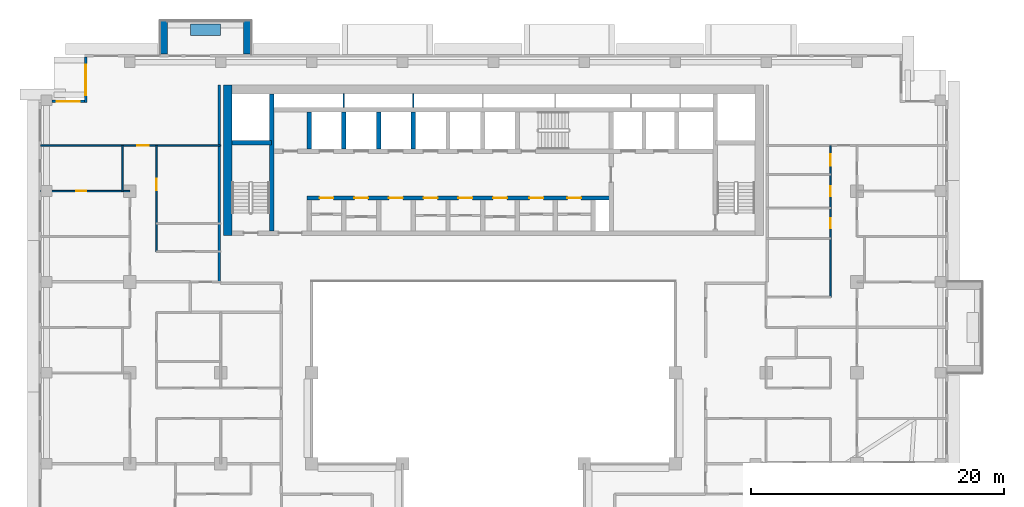
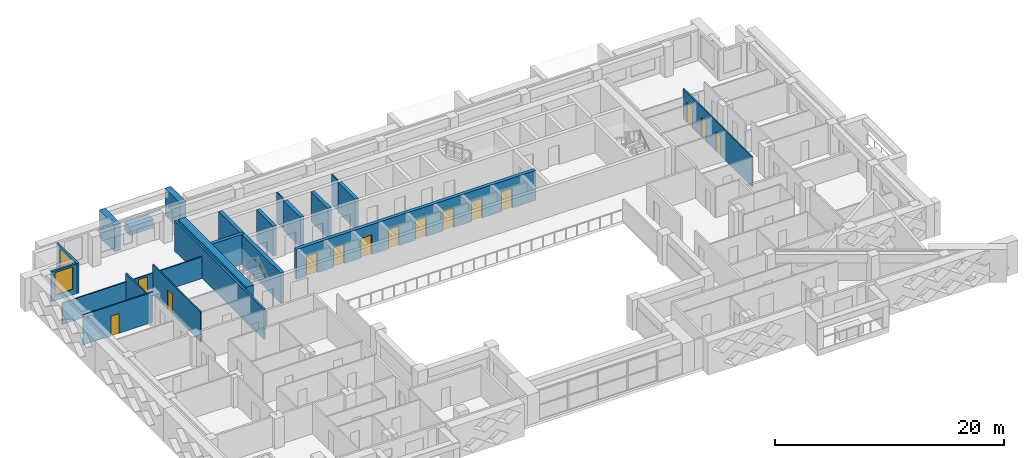
# One storey, part 10 of 20: 21 walls, 14 doors, 2 windows, 16 openings.
"""IFC4 building model written with IfcOpenShell, lengths in metres."""

import ifcopenshell
import ifcopenshell.guid

model = None  # the IFC model being written
_history = None  # IfcOwnerHistory: only IFC2X3 demands one
_inside = {}  # id of a spatial element -> (the spatial element, [elements in it])
_under = {}  # id of a project, library or spatial element -> (it, [spatial elements below it])
_declared = {}  # id of a project -> (the project, [libraries it declares])
_typed = {}  # id of a type object -> (the type object, [elements of that type])
_made_of = {}  # id of a material, layer set ... -> (it, [elements and type objects made of it])


def new_model(schema):
    """Start an empty IFC model of exactly this schema.

    Asked for "IFC4X3", IfcOpenShell would pick the latest addendum, in which some entities
    have other attributes; the version numbers below select the first issue.
    IFC2X3 requires an IfcOwnerHistory on every rooted entity: one is made here for all.
    """
    global model, _history
    if schema == "IFC4X3":
        model = ifcopenshell.file(schema_version=(4, 3, 0, 0))
    else:
        model = ifcopenshell.file(schema=schema)
    _inside.clear()
    _under.clear()
    _declared.clear()
    _typed.clear()
    _made_of.clear()
    _history = None
    if model.schema == "IFC2X3":
        org = make("IfcOrganization", Name="unknown")
        user = make(
            "IfcPersonAndOrganization",
            ThePerson=make("IfcPerson", FamilyName="unknown"),
            TheOrganization=org,
        )
        app = make(
            "IfcApplication",
            ApplicationDeveloper=org,
            Version="unknown",
            ApplicationFullName="unknown",
            ApplicationIdentifier="unknown",
        )
        _history = make(
            "IfcOwnerHistory",
            OwningUser=user,
            OwningApplication=app,
            ChangeAction="ADDED",
            CreationDate=0,
        )
    return model


def make(cls, **values):
    """One entity of the class cls with the attributes given. An attribute that is None is left unset."""
    return model.create_entity(
        cls, **{name: value for name, value in values.items() if value is not None}
    )


def rooted(cls, **values):
    """An entity with a GlobalId (a new one), such as an element, a storey or a relation."""
    return make(cls, GlobalId=ifcopenshell.guid.new(), OwnerHistory=_history, **values)


def si_unit(unit_type, name, prefix=None):
    """IfcSIUnit, for example si_unit("LENGTHUNIT", "METRE", prefix="MILLI")."""
    return make("IfcSIUnit", UnitType=unit_type, Prefix=prefix, Name=name)


def assignment(units):
    """IfcUnitAssignment: the units of a project."""
    return None if units is None else make("IfcUnitAssignment", Units=units)


def point(xyz):
    """IfcCartesianPoint."""
    return None if xyz is None else make("IfcCartesianPoint", Coordinates=xyz)


def direction(xyz):
    """IfcDirection."""
    return None if xyz is None else make("IfcDirection", DirectionRatios=xyz)


def frame(location, z_axis=None, x_axis=None):
    """IfcAxis2Placement3D, a coordinate frame: its origin and axes. An axis left out is left unset."""
    return make(
        "IfcAxis2Placement3D",
        Location=point(location),
        Axis=direction(z_axis),
        RefDirection=direction(x_axis),
    )


def frame_2d(location, x_axis=None):
    """IfcAxis2Placement2D, a coordinate frame in the plane: its origin and x axis."""
    return make(
        "IfcAxis2Placement2D", Location=point(location), RefDirection=direction(x_axis)
    )


def origin():
    """The frame at (0, 0, 0) with its axes left unset."""
    return frame((0.0, 0.0, 0.0))


def place(relative_to, where):
    """IfcLocalPlacement: puts the frame where relative to a parent placement (None: the world)."""
    return make(
        "IfcLocalPlacement", PlacementRelTo=relative_to, RelativePlacement=where
    )


def context(
    kind, dimensions, precision=None, world=None, true_north=None, identifier=None
):
    """IfcGeometricRepresentationContext, for example the 3D "Model" context."""
    return make(
        "IfcGeometricRepresentationContext",
        ContextIdentifier=identifier,
        ContextType=kind,
        CoordinateSpaceDimension=dimensions,
        Precision=precision,
        WorldCoordinateSystem=world,
        TrueNorth=true_north,
    )


def subcontext(parent, identifier, kind, view, scale=None):
    """IfcGeometricRepresentationSubContext, for example "Body" below "Model"."""
    return make(
        "IfcGeometricRepresentationSubContext",
        ContextIdentifier=identifier,
        ContextType=kind,
        ParentContext=parent,
        TargetScale=scale,
        TargetView=view,
    )


def project(units=None, contexts=None):
    """IfcProject with its units and contexts."""
    return rooted(
        "IfcProject",
        Name="project",
        RepresentationContexts=contexts,
        UnitsInContext=assignment(units),
    )


def spatial(cls, under=None, at=None, **own):
    """A site, building, storey or space (cls), placed at a placement, below another one or the project."""
    s = rooted(cls, ObjectPlacement=at, **own)
    if under is not None:
        _under.setdefault(under.id(), (under, []))[1].append(s)
    return s


def profile(cls, at=None, kind="AREA", **sizes):
    """A parametric profile (cls). Its sizes go by their IFC names, for example OverallWidth=200.0."""
    return make(cls, ProfileType=kind, Position=at, **sizes)


def rectangle(**sizes):
    """IfcRectangleProfileDef."""
    return profile("IfcRectangleProfileDef", **sizes)


def extrude(swept, where, along, depth):
    """IfcExtrudedAreaSolid: the profile swept, set in the frame where, extruded along a direction by depth."""
    return make(
        "IfcExtrudedAreaSolid",
        SweptArea=swept,
        Position=where,
        ExtrudedDirection=direction(along),
        Depth=depth,
    )


def shape(context_of_items, identifier, shape_type, items):
    """IfcShapeRepresentation: the items that make up one representation, for example the "Body"."""
    return make(
        "IfcShapeRepresentation",
        ContextOfItems=context_of_items,
        RepresentationIdentifier=identifier,
        RepresentationType=shape_type,
        Items=items,
    )


def material(Name=None, Category=None):
    """IfcMaterial."""
    return make("IfcMaterial", Name=Name, Category=Category)


def layer(
    of_material, thickness, ventilated=None, Name=None, Category=None, Priority=None
):
    """IfcMaterialLayer: one layer of a wall or slab, of a material (None: an air gap)."""
    return make(
        "IfcMaterialLayer",
        Material=of_material,
        LayerThickness=thickness,
        IsVentilated=ventilated,
        Name=Name,
        Category=Category,
        Priority=Priority,
    )


def layer_set(layers, Name=None):
    """IfcMaterialLayerSet."""
    return make("IfcMaterialLayerSet", MaterialLayers=layers, LayerSetName=Name)


def made_of(thing, what):
    """Note that an element or type object is made of a material, layer set ...; save() writes the relation."""
    if what is not None:
        _made_of.setdefault(what.id(), (what, []))[1].append(thing)
    return thing


def type_object(cls, material=None, **own):
    """A type object (cls), such as IfcWallType, which elements share."""
    return made_of(rooted(cls, **own), material)


def element(
    cls,
    number,
    at=None,
    inside=None,
    cuts=None,
    type_object=None,
    material=None,
    context=None,
    identifier="Body",
    shape_type=None,
    held_by="IfcProductDefinitionShape",
    body=None,
    shapes=None,
    **own,
):
    """One element of the class cls, such as IfcWall. Its Tag is "e" and its number.

    at: its placement. inside: the storey or other place that contains it. cuts: it is an
    opening in that element (IfcRelVoidsElement). A single representation is given by context,
    identifier, shape_type and body (its items); several are given by shapes. held_by: the class
    of the entity that holds the representations. save() writes the other relations.
    """
    e = rooted(cls, Tag="e%d" % number, ObjectPlacement=at, **own)
    if body is not None:
        shapes = [shape(context, identifier, shape_type, body)]
    if shapes is not None:
        e.Representation = make(held_by, Representations=shapes)
    if inside is not None:
        _inside.setdefault(inside.id(), (inside, []))[1].append(e)
    if cuts is not None:
        rooted(
            "IfcRelVoidsElement", RelatingBuildingElement=cuts, RelatedOpeningElement=e
        )
    if type_object is not None:
        _typed.setdefault(type_object.id(), (type_object, []))[1].append(e)
    return made_of(e, material)


def fill(opening, filler):
    """IfcRelFillsElement: the door or window that sits in an opening."""
    return rooted(
        "IfcRelFillsElement",
        RelatingOpeningElement=opening,
        RelatedBuildingElement=filler,
    )


def aggregate(whole, parts):
    """IfcRelAggregates: a whole, such as a stair, and the parts it consists of."""
    return rooted("IfcRelAggregates", RelatingObject=whole, RelatedObjects=parts)


def save(model, path):
    """Write the relations noted so far, then the file.

    IfcRelAggregates (storeys below a building ...), IfcRelContainedInSpatialStructure (elements
    in a storey), IfcRelDefinesByType, IfcRelAssociatesMaterial and IfcRelDeclares: one each for
    every whole, place, type object, material and project.
    """
    for whole, parts in _under.values():
        aggregate(whole, parts)
    for where, things in _inside.values():
        rooted(
            "IfcRelContainedInSpatialStructure",
            RelatedElements=things,
            RelatingStructure=where,
        )
    for kind, things in _typed.values():
        rooted("IfcRelDefinesByType", RelatedObjects=things, RelatingType=kind)
    for what, things in _made_of.values():
        rooted("IfcRelAssociatesMaterial", RelatedObjects=things, RelatingMaterial=what)
    for by, libraries in _declared.values():
        rooted("IfcRelDeclares", RelatingContext=by, RelatedDefinitions=libraries)
    model.write(path)


model = new_model("IFC4")

# Units and contexts
model_context = context("Model", 3, precision=1e-05, world=origin(), true_north=direction((0.0, 1.0)))
body_context = subcontext(model_context, "Body", "Model", "MODEL_VIEW")
ifc_project = project(units=[si_unit("LENGTHUNIT", "METRE"), si_unit("AREAUNIT", "SQUARE_METRE"), si_unit("VOLUMEUNIT", "CUBIC_METRE"), si_unit("PLANEANGLEUNIT", "RADIAN"), si_unit("MASSUNIT", "GRAM", prefix="KILO")], contexts=[model_context])

# Site, building, storey
site_placement = place(None, origin())
site = spatial("IfcSite", under=ifc_project, at=site_placement, CompositionType="ELEMENT")
building_placement = place(site_placement, origin())
building = spatial("IfcBuilding", under=site, at=building_placement, Name="Saffron Iwan Residences", CompositionType="ELEMENT")
storey_placement = place(building_placement, frame((0.0, 0.0, 146.5)))
storey = spatial("IfcBuildingStorey", under=building, at=storey_placement, Name="L38", CompositionType="ELEMENT", Elevation=146.5)

# Walls
ifc_material_1 = material(Name="Concrete C50/60 white painted", Category="concrete")
ifc_layer_1 = layer(ifc_material_1, 0.60009765625)
ifc_layer_set_1 = layer_set([ifc_layer_1], Name="Concrete C50/60 white painted")
wall_type_1 = type_object("IfcWallType", Name="BALCONY FIN 600", PredefinedType="SOLIDWALL", material=ifc_layer_set_1)
for number, where, z_axis, x_axis, name in (
    (1, (30.89990234375, 80.449951171875, 0.0), (0.0, 0.0, 1.0), (0.0, 1.0, 0.0), "Balcony fin L38 F5-3a"),
    (2, (24.300048828125, 80.449951171875, 0.0), (0.0, 0.0, 1.0), (0.0, 1.0, 0.0), "Balcony fin L38 F5-3b"),
):
    element("IfcWall", number, at=place(storey_placement, frame(where, z_axis=z_axis, x_axis=x_axis)), inside=storey, type_object=wall_type_1, Name=name, PredefinedType="SOLIDWALL", context=body_context, shape_type="SweptSolid", body=[
        extrude(rectangle(XDim=2.650146484375, YDim=0.60009765625, at=frame_2d((1.3251953125, 0.0))), origin(), (0.0, 0.0, 1.0), 2.85009765625),
    ])
ifc_material_2 = material(Name="Concrete C35/45 white painted", Category="concrete")
ifc_layer_2 = layer(ifc_material_2, 0.14990234375)
ifc_layer_set_2 = layer_set([ifc_layer_2], Name="Concrete C35/45 white painted")
wall_type_2 = type_object("IfcWallType", Name="BALCONY PLANTER", PredefinedType="SOLIDWALL", material=ifc_layer_set_2)
wall_1_placement = place(storey_placement, frame((28.800048828125, 82.375, 0.0), z_axis=(0.0, 0.0, 1.0), x_axis=(-1.0, 0.0, 0.0)))
element("IfcWall", 3, at=wall_1_placement, inside=storey, type_object=wall_type_2, Name="PLANTER L38 F5-3", PredefinedType="SOLIDWALL", context=body_context, shape_type="SweptSolid", body=[
    extrude(rectangle(XDim=2.400146484375, YDim=0.89990234375, at=frame_2d((1.2001953125, 0.0))), origin(), (0.0, 0.0, 1.0), 0.89990234375),
])

# Wall, opening, window
ifc_material_3 = material(Name="Concrete C40/50", Category="concrete")
ifc_layer_3 = layer(ifc_material_3, 0.199951171875)
ifc_layer_set_3 = layer_set([ifc_layer_3], Name="Concrete C40/50")
wall_type_3 = type_object("IfcWallType", Name="EXTERNAL WALL 200", PredefinedType="SOLIDWALL", material=ifc_layer_set_3)
wall_2_placement = place(storey_placement, frame((18.10009765625, 80.199951171875, 0.0), z_axis=(0.0, 0.0, 1.0), x_axis=(0.0, -1.0, 0.0)))
wall_2 = element("IfcWall", 4, at=wall_2_placement, inside=storey, type_object=wall_type_3, Name="External wall L38 F6.0", PredefinedType="SOLIDWALL", context=body_context, shape_type="SweptSolid", body=[
    extrude(rectangle(XDim=3.599853515625, YDim=0.199951171875, at=frame_2d((1.7998046875, 0.0))), origin(), (0.0, 0.0, 1.0), 3.199951171875),
])
opening_1_placement = place(wall_2_placement, frame((0.60009765625, 0.0, 0.60009765625)))
opening_1 = element("IfcOpeningElement", 5, at=opening_1_placement, cuts=wall_2, Name="Opening W1", PredefinedType="OPENING", context=body_context, shape_type="SweptSolid", body=[
    extrude(rectangle(XDim=2.39990234375, YDim=2.39990234375, at=frame_2d((1.199951171875, 1.199951171875))), frame((0.0, 0.10986328125, 0.0), z_axis=(0.0, -1.0, 0.0), x_axis=(1.0, 0.0, 0.0)), (0.0, 0.0, 1.0), 0.219970703125),
])
ifc_material_4 = material(Name="Clear glass, laminated double glazed", Category="glass")
window_type_1 = type_object("IfcWindowType", Name="WINDOW 2400 x 2400", PartitioningType="DOUBLE_PANEL_VERTICAL", PredefinedType="WINDOW", material=ifc_material_4)
window_1_placement = place(opening_1_placement, origin())
window_1 = element("IfcWindow", 6, at=window_1_placement, inside=storey, type_object=window_type_1, Name="Window L38 F6.0", OverallHeight=2.39990234375, OverallWidth=2.39990234375, PartitioningType="DOUBLE_PANEL_VERTICAL", PredefinedType="WINDOW", context=body_context, shape_type="SweptSolid", body=[
    extrude(rectangle(XDim=2.39990234375, YDim=2.39990234375, at=frame_2d((1.199951171875, 1.199951171875))), frame((0.0, 0.030029296875, 0.0), z_axis=(0.0, -1.0, 0.0), x_axis=(1.0, 0.0, 0.0)), (0.0, 0.0, 1.0), 0.06005859375),
])
fill(opening_1, window_1)

wall_3_placement = place(storey_placement, frame((18.0, 76.699951171875, 0.0), z_axis=(0.0, 0.0, 1.0), x_axis=(-1.0, 0.0, 0.0)))
wall_3 = element("IfcWall", 7, at=wall_3_placement, inside=storey, type_object=wall_type_3, Name="External wall L38 F7.0", PredefinedType="SOLIDWALL", context=body_context, shape_type="SweptSolid", body=[
    extrude(rectangle(XDim=2.574951171875, YDim=0.199951171875, at=frame_2d((1.28759765625, 0.0))), origin(), (0.0, 0.0, 1.0), 3.199951171875),
])
opening_2_placement = place(wall_3_placement, frame((0.387451171875, 0.0, 0.60009765625)))
opening_2 = element("IfcOpeningElement", 8, at=opening_2_placement, cuts=wall_3, Name="Opening W8", PredefinedType="OPENING", context=body_context, shape_type="SweptSolid", body=[
    extrude(rectangle(XDim=1.800048828125, YDim=2.39990234375, at=frame_2d((0.89990234375, 1.199951171875))), frame((0.0, 0.10986328125, 0.0), z_axis=(0.0, -1.0, 0.0), x_axis=(1.0, 0.0, 0.0)), (0.0, 0.0, 1.0), 0.219970703125),
])
window_type_2 = type_object("IfcWindowType", Name="WINDOW 1800 x 2400", PartitioningType="DOUBLE_PANEL_VERTICAL", PredefinedType="WINDOW", material=ifc_material_4)
window_2_placement = place(opening_2_placement, origin())
window_2 = element("IfcWindow", 9, at=window_2_placement, inside=storey, type_object=window_type_2, Name="Window L38 F7.0", OverallHeight=2.39990234375, OverallWidth=1.800048828125, PartitioningType="DOUBLE_PANEL_VERTICAL", PredefinedType="WINDOW", context=body_context, shape_type="SweptSolid", body=[
    extrude(rectangle(XDim=1.800048828125, YDim=2.39990234375, at=frame_2d((0.89990234375, 1.199951171875))), frame((0.0, 0.030029296875, 0.0), z_axis=(0.0, -1.0, 0.0), x_axis=(1.0, 0.0, 0.0)), (0.0, 0.0, 1.0), 0.06005859375),
])
fill(opening_2, window_2)

# Wall, opening, door
ifc_material_5 = material(Name="Gypsum board partition")
ifc_layer_4 = layer(ifc_material_5, 0.1201171875)
ifc_layer_set_4 = layer_set([ifc_layer_4], Name="Gypsum board partition")
wall_type_4 = type_object("IfcWallType", Name="Flat partition 120", PredefinedType="PARTITIONING", material=ifc_layer_set_4)
wall_4_placement = place(storey_placement, frame((14.52490234375, 69.60009765625, 0.0), z_axis=(0.0, 0.0, 1.0), x_axis=(1.0, 0.0, 0.0)))
wall_4 = element("IfcWall", 10, at=wall_4_placement, inside=storey, type_object=wall_type_4, Name="W-L38-PART-h69.6-14.525", PredefinedType="PARTITIONING", context=body_context, shape_type="SweptSolid", body=[
    extrude(rectangle(XDim=7.0751953125, YDim=0.1201171875, at=frame_2d((3.53759765625, 0.0))), origin(), (0.0, 0.0, 1.0), 3.199951171875),
])
opening_3_placement = place(wall_4_placement, frame((2.83740234375, 0.0, 0.0)))
opening_3 = element("IfcOpeningElement", 11, at=opening_3_placement, cuts=wall_4, Name="Opening FD3", PredefinedType="OPENING", context=body_context, shape_type="SweptSolid", body=[
    extrude(rectangle(XDim=0.800048828125, YDim=2.10009765625, at=frame_2d((0.39990234375, 1.050048828125))), frame((0.0, 0.070068359375, 0.0), z_axis=(0.0, -1.0, 0.0), x_axis=(1.0, 0.0, 0.0)), (0.0, 0.0, 1.0), 0.14013671875),
])
ifc_material_6 = material(Name="Timber door", Category="wood")
door_type_1 = type_object("IfcDoorType", Name="Bathroom door 800", OperationType="NOTDEFINED", PredefinedType="DOOR", material=ifc_material_6)
door_1_placement = place(opening_3_placement, origin())
door_1 = element("IfcDoor", 12, at=door_1_placement, inside=storey, type_object=door_type_1, Name="Door L38-026", OperationType="SINGLE_SWING_RIGHT", OverallHeight=2.10009765625, OverallWidth=0.800048828125, PredefinedType="DOOR", context=body_context, shape_type="SweptSolid", body=[
    extrude(rectangle(XDim=0.800048828125, YDim=2.10009765625, at=frame_2d((0.39990234375, 1.050048828125))), frame((0.0, 0.02490234375, 0.0), z_axis=(0.0, -1.0, 0.0), x_axis=(1.0, 0.0, 0.0)), (0.0, 0.0, 1.0), 0.050048828125),
])
fill(opening_3, door_1)

wall_5_placement = place(storey_placement, frame((14.52490234375, 73.199951171875, 0.0), z_axis=(0.0, 0.0, 1.0), x_axis=(1.0, 0.0, 0.0)))
wall_5 = element("IfcWall", 13, at=wall_5_placement, inside=storey, type_object=wall_type_4, Name="W-L38-PART-h73.2-14.525", PredefinedType="PARTITIONING", context=body_context, shape_type="SweptSolid", body=[
    extrude(rectangle(XDim=14.275146484375, YDim=0.1201171875, at=frame_2d((7.1376953125, 0.0))), origin(), (0.0, 0.0, 1.0), 2.300048828125),
])
opening_4_placement = place(wall_5_placement, frame((7.675048828125, 0.0, 0.0)))
opening_4 = element("IfcOpeningElement", 14, at=opening_4_placement, cuts=wall_5, Name="Opening FD2", PredefinedType="OPENING", context=body_context, shape_type="SweptSolid", body=[
    extrude(rectangle(XDim=0.89990234375, YDim=2.10009765625, at=frame_2d((0.449951171875, 1.050048828125))), frame((0.0, 0.070068359375, 0.0), z_axis=(0.0, -1.0, 0.0), x_axis=(1.0, 0.0, 0.0)), (0.0, 0.0, 1.0), 0.14013671875),
])
door_type_2 = type_object("IfcDoorType", Name="Flat door 900", OperationType="NOTDEFINED", PredefinedType="DOOR", material=ifc_material_6)
door_2_placement = place(opening_4_placement, origin())
door_2 = element("IfcDoor", 15, at=door_2_placement, inside=storey, type_object=door_type_2, Name="Door L38-027", OperationType="SINGLE_SWING_LEFT", OverallHeight=2.10009765625, OverallWidth=0.89990234375, PredefinedType="DOOR", context=body_context, shape_type="SweptSolid", body=[
    extrude(rectangle(XDim=0.89990234375, YDim=2.10009765625, at=frame_2d((0.449951171875, 1.050048828125))), frame((0.0, 0.02490234375, 0.0), z_axis=(0.0, -1.0, 0.0), x_axis=(1.0, 0.0, 0.0)), (0.0, 0.0, 1.0), 0.050048828125),
])
fill(opening_4, door_2)

# Wall
wall_6_placement = place(storey_placement, frame((21.0, 69.60009765625, 0.0), z_axis=(0.0, 0.0, 1.0), x_axis=(0.0, 1.0, 0.0)))
element("IfcWall", 16, at=wall_6_placement, inside=storey, type_object=wall_type_4, Name="W-L38-PART-v21-69.6", PredefinedType="PARTITIONING", context=body_context, shape_type="SweptSolid", body=[
    extrude(rectangle(XDim=3.599853515625, YDim=0.1201171875, at=frame_2d((1.7998046875, 0.0))), origin(), (0.0, 0.0, 1.0), 3.199951171875),
])

# Wall, opening, door
wall_7_placement = place(storey_placement, frame((23.699951171875, 64.800048828125, 0.0), z_axis=(0.0, 0.0, 1.0), x_axis=(0.0, 1.0, 0.0)))
wall_7 = element("IfcWall", 17, at=wall_7_placement, inside=storey, type_object=wall_type_4, Name="W-L38-PART-v23.7-64.8", PredefinedType="PARTITIONING", context=body_context, shape_type="SweptSolid", body=[
    extrude(rectangle(XDim=8.39990234375, YDim=0.1201171875, at=frame_2d((4.199951171875, 0.0))), origin(), (0.0, 0.0, 1.0), 3.199951171875),
])
opening_5_placement = place(wall_7_placement, frame((4.875, 0.0, 0.0)))
opening_5 = element("IfcOpeningElement", 18, at=opening_5_placement, cuts=wall_7, Name="Opening FD2", PredefinedType="OPENING", context=body_context, shape_type="SweptSolid", body=[
    extrude(rectangle(XDim=0.89990234375, YDim=2.10009765625, at=frame_2d((0.449951171875, 1.050048828125))), frame((0.0, 0.070068359375, 0.0), z_axis=(0.0, -1.0, 0.0), x_axis=(1.0, 0.0, 0.0)), (0.0, 0.0, 1.0), 0.14013671875),
])
door_3_placement = place(opening_5_placement, origin())
door_3 = element("IfcDoor", 19, at=door_3_placement, inside=storey, type_object=door_type_2, Name="Door L38-029", OperationType="SINGLE_SWING_RIGHT", OverallHeight=2.10009765625, OverallWidth=0.89990234375, PredefinedType="DOOR", context=body_context, shape_type="SweptSolid", body=[
    extrude(rectangle(XDim=0.89990234375, YDim=2.10009765625, at=frame_2d((0.449951171875, 1.050048828125))), frame((0.0, 0.02490234375, 0.0), z_axis=(0.0, -1.0, 0.0), x_axis=(1.0, 0.0, 0.0)), (0.0, 0.0, 1.0), 0.050048828125),
])
fill(opening_5, door_3)

# Wall, openings, doors
wall_8_placement = place(storey_placement, frame((77.10009765625, 61.199951171875, 0.0), z_axis=(0.0, 0.0, 1.0), x_axis=(0.0, 1.0, 0.0)))
wall_8 = element("IfcWall", 20, at=wall_8_placement, inside=storey, type_object=wall_type_4, Name="W-L38-PART-v77.1-61.2", PredefinedType="PARTITIONING", context=body_context, shape_type="SweptSolid", body=[
    extrude(rectangle(XDim=12.0, YDim=0.1201171875, at=frame_2d((6.0, 0.0))), origin(), (0.0, 0.0, 1.0), 3.199951171875),
])
opening_6_placement = place(wall_8_placement, frame((5.449951171875, 0.0, 0.0)))
opening_6 = element("IfcOpeningElement", 21, at=opening_6_placement, cuts=wall_8, Name="Opening FD3", PredefinedType="OPENING", context=body_context, shape_type="SweptSolid", body=[
    extrude(rectangle(XDim=0.800048828125, YDim=2.10009765625, at=frame_2d((0.39990234375, 1.050048828125))), frame((0.0, 0.070068359375, 0.0), z_axis=(0.0, -1.0, 0.0), x_axis=(1.0, 0.0, 0.0)), (0.0, 0.0, 1.0), 0.14013671875),
])
opening_7_placement = place(wall_8_placement, frame((7.97509765625, 0.0, 0.0)))
opening_7 = element("IfcOpeningElement", 22, at=opening_7_placement, cuts=wall_8, Name="Opening FD3", PredefinedType="OPENING", context=body_context, shape_type="SweptSolid", body=[
    extrude(rectangle(XDim=0.800048828125, YDim=2.10009765625, at=frame_2d((0.39990234375, 1.050048828125))), frame((0.0, 0.070068359375, 0.0), z_axis=(0.0, -1.0, 0.0), x_axis=(1.0, 0.0, 0.0)), (0.0, 0.0, 1.0), 0.14013671875),
])
opening_8_placement = place(wall_8_placement, frame((10.39990234375, 0.0, 0.0)))
opening_8 = element("IfcOpeningElement", 23, at=opening_8_placement, cuts=wall_8, Name="Opening FD2", PredefinedType="OPENING", context=body_context, shape_type="SweptSolid", body=[
    extrude(rectangle(XDim=0.89990234375, YDim=2.10009765625, at=frame_2d((0.449951171875, 1.050048828125))), frame((0.0, 0.070068359375, 0.0), z_axis=(0.0, -1.0, 0.0), x_axis=(1.0, 0.0, 0.0)), (0.0, 0.0, 1.0), 0.14013671875),
])
door_4_placement = place(opening_6_placement, origin())
door_4 = element("IfcDoor", 24, at=door_4_placement, inside=storey, type_object=door_type_1, Name="Door L38-038", OperationType="SINGLE_SWING_RIGHT", OverallHeight=2.10009765625, OverallWidth=0.800048828125, PredefinedType="DOOR", context=body_context, shape_type="SweptSolid", body=[
    extrude(rectangle(XDim=0.800048828125, YDim=2.10009765625, at=frame_2d((0.39990234375, 1.050048828125))), frame((0.0, 0.02490234375, 0.0), z_axis=(0.0, -1.0, 0.0), x_axis=(1.0, 0.0, 0.0)), (0.0, 0.0, 1.0), 0.050048828125),
])
fill(opening_6, door_4)
door_5_placement = place(opening_7_placement, origin())
door_5 = element("IfcDoor", 25, at=door_5_placement, inside=storey, type_object=door_type_1, Name="Door L38-039", OperationType="SINGLE_SWING_LEFT", OverallHeight=2.10009765625, OverallWidth=0.800048828125, PredefinedType="DOOR", context=body_context, shape_type="SweptSolid", body=[
    extrude(rectangle(XDim=0.800048828125, YDim=2.10009765625, at=frame_2d((0.39990234375, 1.050048828125))), frame((0.0, 0.02490234375, 0.0), z_axis=(0.0, -1.0, 0.0), x_axis=(1.0, 0.0, 0.0)), (0.0, 0.0, 1.0), 0.050048828125),
])
fill(opening_7, door_5)
door_6_placement = place(opening_8_placement, origin())
door_6 = element("IfcDoor", 26, at=door_6_placement, inside=storey, type_object=door_type_2, Name="Door L38-040", OperationType="SINGLE_SWING_LEFT", OverallHeight=2.10009765625, OverallWidth=0.89990234375, PredefinedType="DOOR", context=body_context, shape_type="SweptSolid", body=[
    extrude(rectangle(XDim=0.89990234375, YDim=2.10009765625, at=frame_2d((0.449951171875, 1.050048828125))), frame((0.0, 0.02490234375, 0.0), z_axis=(0.0, -1.0, 0.0), x_axis=(1.0, 0.0, 0.0)), (0.0, 0.0, 1.0), 0.050048828125),
])
fill(opening_8, door_6)

# Walls
ifc_material_7 = material(Name="Fire-rated gypsum board wall")
ifc_layer_5 = layer(ifc_material_7, 0.199951171875)
ifc_layer_set_5 = layer_set([ifc_layer_5], Name="Fire-rated gypsum board wall")
wall_type_5 = type_object("IfcWallType", Name="Gallery wall 200", PredefinedType="SOLIDWALL", material=ifc_layer_set_5)
wall_9_placement = place(storey_placement, frame((28.699951171875, 62.39990234375, 0.0), z_axis=(0.0, 0.0, 1.0), x_axis=(0.0, 1.0, 0.0)))
element("IfcWall", 27, at=wall_9_placement, inside=storey, type_object=wall_type_5, Name="W-L38-CORR-v28.8-62.4", PredefinedType="SOLIDWALL", context=body_context, shape_type="SweptSolid", body=[
    extrude(rectangle(XDim=15.60009765625, YDim=0.199951171875, at=frame_2d((7.800048828125, 0.0))), origin(), (0.0, 0.0, 1.0), 3.199951171875),
])
ifc_material_8 = material(Name="Fire-rated plasterboard partition")
ifc_layer_6 = layer(ifc_material_8, 0.10009765625)
ifc_layer_set_6 = layer_set([ifc_layer_6], Name="Fire-rated plasterboard partition")
wall_type_6 = type_object("IfcWallType", Name="Riser partition 100", PredefinedType="PARTITIONING", material=ifc_layer_set_6)
for number, where, z_axis, x_axis, name in (
    (28, (38.550048828125, 76.22509765625, 0.0), (0.0, 0.0, 1.0), (0.0, 1.0, 0.0), "Core partition P08"),
    (29, (44.050048828125, 76.22509765625, 0.0), (0.0, 0.0, 1.0), (0.0, 1.0, 0.0), "Core partition P09"),
):
    element("IfcWall", number, at=place(storey_placement, frame(where, z_axis=z_axis, x_axis=x_axis)), inside=storey, type_object=wall_type_6, Name=name, PredefinedType="PARTITIONING", context=body_context, shape_type="SweptSolid", body=[
        extrude(rectangle(XDim=1.074951171875, YDim=0.10009765625, at=frame_2d((0.53759765625, 0.0))), origin(), (0.0, 0.0, 1.0), 3.199951171875),
    ])

# Wall, openings, doors
ifc_material_9 = material(Name="Concrete C50/60", Category="concrete")
ifc_layer_7 = layer(ifc_material_9, 0.35009765625)
ifc_layer_set_7 = layer_set([ifc_layer_7], Name="Concrete C50/60")
wall_type_7 = type_object("IfcWallType", Name="WALL CORE 350 C50/60 3200 HIGH", PredefinedType="SHEAR", material=ifc_layer_set_7)
wall_10_placement = place(storey_placement, frame((35.625, 69.050048828125, 0.0), z_axis=(0.0, 0.0, 1.0), x_axis=(1.0, 0.0, 0.0)))
wall_10 = element("IfcWall", 30, at=wall_10_placement, inside=storey, type_object=wall_type_7, Name="Core wall", PredefinedType="SHEAR", context=body_context, shape_type="SweptSolid", body=[
    extrude(rectangle(XDim=24.10009765625, YDim=0.35009765625, at=frame_2d((12.050048828125, 0.0))), origin(), (0.0, 0.0, 1.0), 3.199951171875),
])
opening_9_placement = place(wall_10_placement, frame((1.0, 0.0, 0.0)))
opening_9 = element("IfcOpeningElement", 31, at=opening_9_placement, cuts=wall_10, Name="Opening SR", PredefinedType="OPENING", context=body_context, shape_type="SweptSolid", body=[
    extrude(rectangle(XDim=1.10009765625, YDim=2.10009765625, at=frame_2d((0.550048828125, 1.050048828125))), frame((0.0, 0.18505859375, 0.0), z_axis=(0.0, -1.0, 0.0), x_axis=(1.0, 0.0, 0.0)), (0.0, 0.0, 1.0), 0.3701171875),
])
opening_10_placement = place(wall_10_placement, frame((3.75, 0.0, 0.0)))
opening_10 = element("IfcOpeningElement", 32, at=opening_10_placement, cuts=wall_10, Name="Opening SR", PredefinedType="OPENING", context=body_context, shape_type="SweptSolid", body=[
    extrude(rectangle(XDim=1.10009765625, YDim=2.10009765625, at=frame_2d((0.550048828125, 1.050048828125))), frame((0.0, 0.18505859375, 0.0), z_axis=(0.0, -1.0, 0.0), x_axis=(1.0, 0.0, 0.0)), (0.0, 0.0, 1.0), 0.3701171875),
])
opening_11_placement = place(wall_10_placement, frame((6.5, 0.0, 0.0)))
opening_11 = element("IfcOpeningElement", 33, at=opening_11_placement, cuts=wall_10, Name="Opening SR", PredefinedType="OPENING", context=body_context, shape_type="SweptSolid", body=[
    extrude(rectangle(XDim=1.10009765625, YDim=2.10009765625, at=frame_2d((0.550048828125, 1.050048828125))), frame((0.0, 0.18505859375, 0.0), z_axis=(0.0, -1.0, 0.0), x_axis=(1.0, 0.0, 0.0)), (0.0, 0.0, 1.0), 0.3701171875),
])
opening_12_placement = place(wall_10_placement, frame((9.25, 0.0, 0.0)))
opening_12 = element("IfcOpeningElement", 34, at=opening_12_placement, cuts=wall_10, Name="Opening SR", PredefinedType="OPENING", context=body_context, shape_type="SweptSolid", body=[
    extrude(rectangle(XDim=1.10009765625, YDim=2.10009765625, at=frame_2d((0.550048828125, 1.050048828125))), frame((0.0, 0.18505859375, 0.0), z_axis=(0.0, -1.0, 0.0), x_axis=(1.0, 0.0, 0.0)), (0.0, 0.0, 1.0), 0.3701171875),
])
opening_13_placement = place(wall_10_placement, frame((12.0, 0.0, 0.0)))
opening_13 = element("IfcOpeningElement", 35, at=opening_13_placement, cuts=wall_10, Name="Opening SR", PredefinedType="OPENING", context=body_context, shape_type="SweptSolid", body=[
    extrude(rectangle(XDim=1.10009765625, YDim=2.10009765625, at=frame_2d((0.550048828125, 1.050048828125))), frame((0.0, 0.18505859375, 0.0), z_axis=(0.0, -1.0, 0.0), x_axis=(1.0, 0.0, 0.0)), (0.0, 0.0, 1.0), 0.3701171875),
])
opening_14_placement = place(wall_10_placement, frame((14.75, 0.0, 0.0)))
opening_14 = element("IfcOpeningElement", 36, at=opening_14_placement, cuts=wall_10, Name="Opening SR", PredefinedType="OPENING", context=body_context, shape_type="SweptSolid", body=[
    extrude(rectangle(XDim=1.10009765625, YDim=2.10009765625, at=frame_2d((0.550048828125, 1.050048828125))), frame((0.0, 0.18505859375, 0.0), z_axis=(0.0, -1.0, 0.0), x_axis=(1.0, 0.0, 0.0)), (0.0, 0.0, 1.0), 0.3701171875),
])
opening_15_placement = place(wall_10_placement, frame((17.625, 0.0, 0.0)))
opening_15 = element("IfcOpeningElement", 37, at=opening_15_placement, cuts=wall_10, Name="Opening SR", PredefinedType="OPENING", context=body_context, shape_type="SweptSolid", body=[
    extrude(rectangle(XDim=1.10009765625, YDim=2.10009765625, at=frame_2d((0.550048828125, 1.050048828125))), frame((0.0, 0.18505859375, 0.0), z_axis=(0.0, -1.0, 0.0), x_axis=(1.0, 0.0, 0.0)), (0.0, 0.0, 1.0), 0.3701171875),
])
opening_16_placement = place(wall_10_placement, frame((20.625, 0.0, 0.0)))
opening_16 = element("IfcOpeningElement", 38, at=opening_16_placement, cuts=wall_10, Name="Opening SR", PredefinedType="OPENING", context=body_context, shape_type="SweptSolid", body=[
    extrude(rectangle(XDim=1.10009765625, YDim=2.10009765625, at=frame_2d((0.550048828125, 1.050048828125))), frame((0.0, 0.18505859375, 0.0), z_axis=(0.0, -1.0, 0.0), x_axis=(1.0, 0.0, 0.0)), (0.0, 0.0, 1.0), 0.3701171875),
])
ifc_material_10 = material(Name="Steel fire door", Category="steel")
door_type_3 = type_object("IfcDoorType", Name="Service door 1100", OperationType="NOTDEFINED", PredefinedType="DOOR", material=ifc_material_10)
door_7_placement = place(opening_9_placement, origin())
door_7 = element("IfcDoor", 39, at=door_7_placement, inside=storey, type_object=door_type_3, Name="Door Switch room", OperationType="SINGLE_SWING_RIGHT", OverallHeight=2.10009765625, OverallWidth=1.10009765625, PredefinedType="DOOR", context=body_context, shape_type="SweptSolid", body=[
    extrude(rectangle(XDim=1.10009765625, YDim=2.10009765625, at=frame_2d((0.550048828125, 1.050048828125))), frame((0.0, 0.02490234375, 0.0), z_axis=(0.0, -1.0, 0.0), x_axis=(1.0, 0.0, 0.0)), (0.0, 0.0, 1.0), 0.050048828125),
])
fill(opening_9, door_7)
door_8_placement = place(opening_10_placement, origin())
door_8 = element("IfcDoor", 40, at=door_8_placement, inside=storey, type_object=door_type_3, Name="Door Furniture store", OperationType="SINGLE_SWING_LEFT", OverallHeight=2.10009765625, OverallWidth=1.10009765625, PredefinedType="DOOR", context=body_context, shape_type="SweptSolid", body=[
    extrude(rectangle(XDim=1.10009765625, YDim=2.10009765625, at=frame_2d((0.550048828125, 1.050048828125))), frame((0.0, 0.02490234375, 0.0), z_axis=(0.0, -1.0, 0.0), x_axis=(1.0, 0.0, 0.0)), (0.0, 0.0, 1.0), 0.050048828125),
])
fill(opening_10, door_8)
door_9_placement = place(opening_11_placement, origin())
door_9 = element("IfcDoor", 41, at=door_9_placement, inside=storey, type_object=door_type_3, Name="Door Housekeeping store", OperationType="SINGLE_SWING_RIGHT", OverallHeight=2.10009765625, OverallWidth=1.10009765625, PredefinedType="DOOR", context=body_context, shape_type="SweptSolid", body=[
    extrude(rectangle(XDim=1.10009765625, YDim=2.10009765625, at=frame_2d((0.550048828125, 1.050048828125))), frame((0.0, 0.02490234375, 0.0), z_axis=(0.0, -1.0, 0.0), x_axis=(1.0, 0.0, 0.0)), (0.0, 0.0, 1.0), 0.050048828125),
])
fill(opening_11, door_9)
door_10_placement = place(opening_12_placement, origin())
door_10 = element("IfcDoor", 42, at=door_10_placement, inside=storey, type_object=door_type_3, Name="Door Cleaner's store", OperationType="SINGLE_SWING_LEFT", OverallHeight=2.10009765625, OverallWidth=1.10009765625, PredefinedType="DOOR", context=body_context, shape_type="SweptSolid", body=[
    extrude(rectangle(XDim=1.10009765625, YDim=2.10009765625, at=frame_2d((0.550048828125, 1.050048828125))), frame((0.0, 0.02490234375, 0.0), z_axis=(0.0, -1.0, 0.0), x_axis=(1.0, 0.0, 0.0)), (0.0, 0.0, 1.0), 0.050048828125),
])
fill(opening_12, door_10)
door_11_placement = place(opening_13_placement, origin())
door_11 = element("IfcDoor", 43, at=door_11_placement, inside=storey, type_object=door_type_3, Name="Door Trolley store", OperationType="SINGLE_SWING_RIGHT", OverallHeight=2.10009765625, OverallWidth=1.10009765625, PredefinedType="DOOR", context=body_context, shape_type="SweptSolid", body=[
    extrude(rectangle(XDim=1.10009765625, YDim=2.10009765625, at=frame_2d((0.550048828125, 1.050048828125))), frame((0.0, 0.02490234375, 0.0), z_axis=(0.0, -1.0, 0.0), x_axis=(1.0, 0.0, 0.0)), (0.0, 0.0, 1.0), 0.050048828125),
])
fill(opening_13, door_11)
door_12_placement = place(opening_14_placement, origin())
door_12 = element("IfcDoor", 44, at=door_12_placement, inside=storey, type_object=door_type_3, Name="Door Communications room", OperationType="SINGLE_SWING_LEFT", OverallHeight=2.10009765625, OverallWidth=1.10009765625, PredefinedType="DOOR", context=body_context, shape_type="SweptSolid", body=[
    extrude(rectangle(XDim=1.10009765625, YDim=2.10009765625, at=frame_2d((0.550048828125, 1.050048828125))), frame((0.0, 0.02490234375, 0.0), z_axis=(0.0, -1.0, 0.0), x_axis=(1.0, 0.0, 0.0)), (0.0, 0.0, 1.0), 0.050048828125),
])
fill(opening_14, door_12)
door_13_placement = place(opening_15_placement, origin())
door_13 = element("IfcDoor", 45, at=door_13_placement, inside=storey, type_object=door_type_3, Name="Door Refuse store", OperationType="SINGLE_SWING_RIGHT", OverallHeight=2.10009765625, OverallWidth=1.10009765625, PredefinedType="DOOR", context=body_context, shape_type="SweptSolid", body=[
    extrude(rectangle(XDim=1.10009765625, YDim=2.10009765625, at=frame_2d((0.550048828125, 1.050048828125))), frame((0.0, 0.02490234375, 0.0), z_axis=(0.0, -1.0, 0.0), x_axis=(1.0, 0.0, 0.0)), (0.0, 0.0, 1.0), 0.050048828125),
])
fill(opening_15, door_13)
door_14_placement = place(opening_16_placement, origin())
door_14 = element("IfcDoor", 46, at=door_14_placement, inside=storey, type_object=door_type_3, Name="Door Maintenance store", OperationType="SINGLE_SWING_RIGHT", OverallHeight=2.10009765625, OverallWidth=1.10009765625, PredefinedType="DOOR", context=body_context, shape_type="SweptSolid", body=[
    extrude(rectangle(XDim=1.10009765625, YDim=2.10009765625, at=frame_2d((0.550048828125, 1.050048828125))), frame((0.0, 0.02490234375, 0.0), z_axis=(0.0, -1.0, 0.0), x_axis=(1.0, 0.0, 0.0)), (0.0, 0.0, 1.0), 0.050048828125),
])
fill(opening_16, door_14)

# Walls
wall_11_placement = place(storey_placement, frame((29.699951171875, 73.425048828125, 0.0), z_axis=(0.0, 0.0, 1.0), x_axis=(1.0, 0.0, 0.0)))
element("IfcWall", 47, at=wall_11_placement, inside=storey, type_object=wall_type_7, Name="Core wall", PredefinedType="SHEAR", context=body_context, shape_type="SweptSolid", body=[
    extrude(rectangle(XDim=3.125, YDim=0.35009765625, at=frame_2d((1.5625, 0.0))), origin(), (0.0, 0.0, 1.0), 3.199951171875),
])
wall_12_placement = place(storey_placement, frame((32.824951171875, 66.449951171875, 0.0), z_axis=(0.0, 0.0, 1.0), x_axis=(0.0, 1.0, 0.0)))
element("IfcWall", 48, at=wall_12_placement, inside=storey, type_object=wall_type_7, Name="Core wall", PredefinedType="SHEAR", context=body_context, shape_type="SweptSolid", body=[
    extrude(rectangle(XDim=10.85009765625, YDim=0.35009765625, at=frame_2d((5.425048828125, 0.0))), origin(), (0.0, 0.0, 1.0), 3.199951171875),
])
for number, where, z_axis, x_axis, name in (
    (49, (35.800048828125, 72.925048828125, 0.0), (0.0, 0.0, 1.0), (0.0, 1.0, 0.0), "Core wall"),
    (50, (38.550048828125, 72.925048828125, 0.0), (0.0, 0.0, 1.0), (0.0, 1.0, 0.0), "Core wall"),
    (51, (41.300048828125, 72.925048828125, 0.0), (0.0, 0.0, 1.0), (0.0, 1.0, 0.0), "Core wall"),
    (52, (44.050048828125, 72.925048828125, 0.0), (0.0, 0.0, 1.0), (0.0, 1.0, 0.0), "Core wall"),
):
    element("IfcWall", number, at=place(storey_placement, frame(where, z_axis=z_axis, x_axis=x_axis)), inside=storey, type_object=wall_type_7, Name=name, PredefinedType="SHEAR", context=body_context, shape_type="SweptSolid", body=[
        extrude(rectangle(XDim=2.949951171875, YDim=0.35009765625, at=frame_2d((1.47509765625, 0.0))), origin(), (0.0, 0.0, 1.0), 3.199951171875),
    ])
ifc_layer_8 = layer(ifc_material_9, 0.699951171875)
ifc_layer_set_8 = layer_set([ifc_layer_8], Name="Concrete C50/60")
wall_type_8 = type_object("IfcWallType", Name="WALL CORE 700 C50/60 3200 HIGH", PredefinedType="SHEAR", material=ifc_layer_set_8)
wall_13_placement = place(storey_placement, frame((29.35009765625, 66.10009765625, 0.0), z_axis=(0.0, 0.0, 1.0), x_axis=(0.0, 1.0, 0.0)))
element("IfcWall", 53, at=wall_13_placement, inside=storey, type_object=wall_type_8, Name="Core wall", PredefinedType="SHEAR", context=body_context, shape_type="SweptSolid", body=[
    extrude(rectangle(XDim=11.89990234375, YDim=0.699951171875, at=frame_2d((5.949951171875, 0.0))), origin(), (0.0, 0.0, 1.0), 3.199951171875),
])

save(model, "model.ifc")
